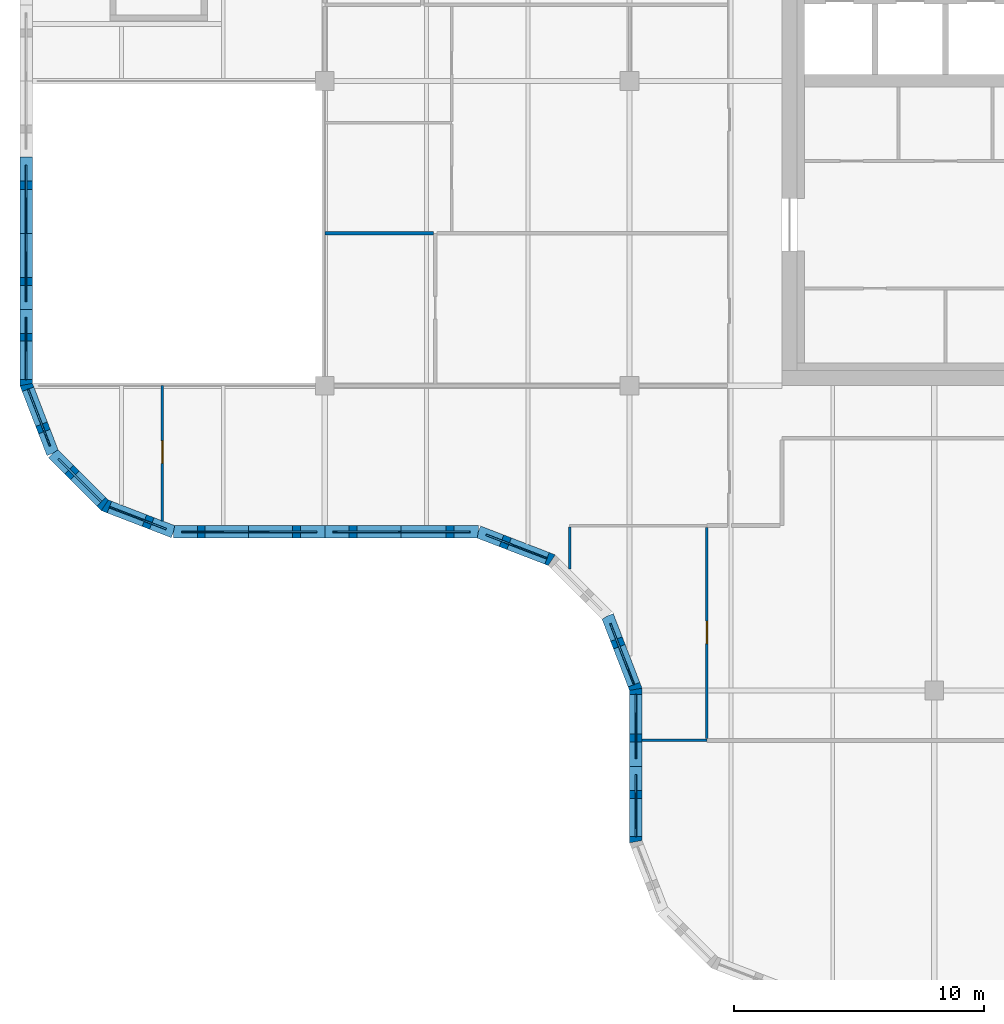
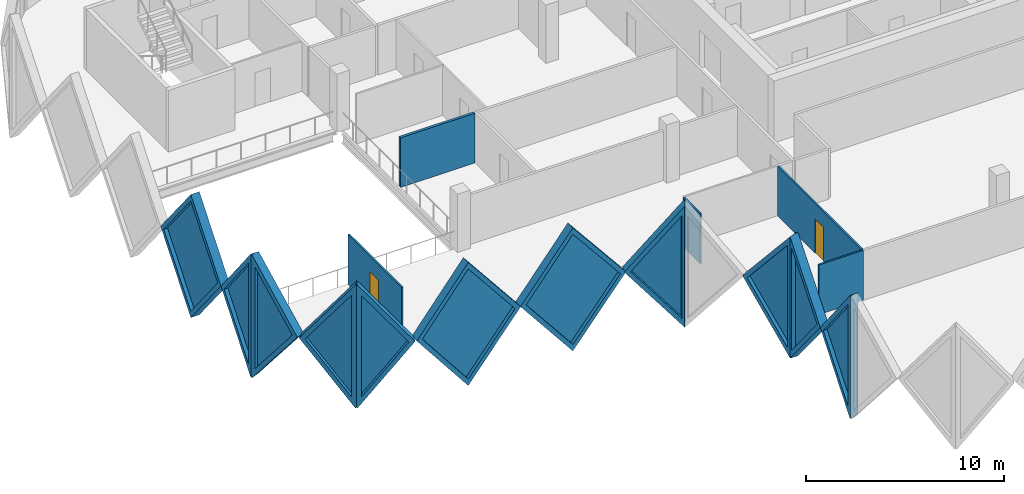
# One storey, part 3 of 11: 16 walls, 11 plates, 2 doors, 13 openings.
"""IFC4 building model written with IfcOpenShell, lengths in metres."""

from ifc_helpers import new_model, si_unit, direction, frame, frame_2d, origin, place, context, subcontext, project, spatial, polyline, rectangle, outline, extrude, faceted_brep, source, transform, mapped, material, layer, layer_set, type_object, element, fill, save


model = new_model("IFC4")

# Units and contexts
model_context = context("Model", 3, precision=1e-05, world=origin(), true_north=direction((0.0, 1.0)))
body_context = subcontext(model_context, "Body", "Model", "MODEL_VIEW")
ifc_project = project(units=[si_unit("LENGTHUNIT", "METRE"), si_unit("AREAUNIT", "SQUARE_METRE"), si_unit("VOLUMEUNIT", "CUBIC_METRE"), si_unit("PLANEANGLEUNIT", "RADIAN"), si_unit("MASSUNIT", "GRAM", prefix="KILO")], contexts=[model_context])

# Site, building, storey
site_placement = place(None, origin())
site = spatial("IfcSite", under=ifc_project, at=site_placement, CompositionType="ELEMENT")
building_placement = place(site_placement, origin())
building = spatial("IfcBuilding", under=site, at=building_placement, Name="Tessera Gate Towers", CompositionType="ELEMENT")
storey_placement = place(building_placement, frame((0.0, 0.0, 174.39990234375)))
storey = spatial("IfcBuildingStorey", under=building, at=storey_placement, Name="L43", CompositionType="ELEMENT", Elevation=174.39990234375)

# Wall
ifc_material_1 = material(Name="Glass", Category="glass")
ifc_layer_1 = layer(ifc_material_1, 0.10009765625)
ifc_layer_set_1 = layer_set([ifc_layer_1], Name="GLAZED PARTITION 100")
wall_type_1 = type_object("IfcWallType", Name="GLAZED PARTITION 100", PredefinedType="PARTITIONING", material=ifc_layer_set_1)
wall_1_placement = place(storey_placement, frame((24.89990234375, 10.199951171875, 0.0), z_axis=(0.0, 0.0, 1.0), x_axis=(1.0, 0.0, 0.0)))
element("IfcWall", 1, at=wall_1_placement, inside=storey, type_object=wall_type_1, Name="T1-L43-PW-006", PredefinedType="PARTITIONING", context=body_context, shape_type="SweptSolid", body=[
    extrude(rectangle(XDim=2.59912109375, YDim=0.10009765625, at=frame_2d((1.299560546875, 0.0))), origin(), (0.0, 0.0, 1.0), 3.067138671875),
])

# Wall, opening, door
wall_2_placement = place(storey_placement, frame((27.5, 10.27587890625, 0.0), z_axis=(0.0, 0.0, 1.0), x_axis=(0.0, 1.0, 0.0)))
wall_2 = element("IfcWall", 2, at=wall_2_placement, inside=storey, type_object=wall_type_1, Name="T1-L43-PW-008", PredefinedType="PARTITIONING", context=body_context, shape_type="SweptSolid", body=[
    extrude(rectangle(XDim=8.4482421875, YDim=0.10009765625, at=frame_2d((4.22412109375, 0.0))), origin(), (0.0, 0.0, 1.0), 3.067138671875),
])
shared_shape_1 = source(origin(), body_context, "Body", "SweptSolid", [
    extrude(rectangle(XDim=0.89990234375, YDim=2.10009765625, at=frame_2d((0.449951171875, 1.050048828125))), frame((0.0, 0.06005859375, 0.0), z_axis=(0.0, -1.0, 0.0), x_axis=(1.0, 0.0, 0.0)), (0.0, 0.0, 1.0), 0.1201171875),
])
opening_1_placement = place(wall_2_placement, frame((3.800048828125, 0.0, 0.0)))
opening_1 = element("IfcOpeningElement", 3, at=opening_1_placement, cuts=wall_2, Name="Opening D690-A15-02", PredefinedType="OPENING", context=body_context, shape_type="MappedRepresentation", body=[
    mapped(shared_shape_1, transform((0.0, 0.0, 0.0), scale=1.0)),
])
ifc_material_2 = material(Name="Glass in aluminium frame", Category="aluminium")
door_type = type_object("IfcDoorType", Name="GLAZED DOOR 900 NOT RATED", OperationType="NOTDEFINED", PredefinedType="DOOR", material=ifc_material_2)
shared_shape_2 = source(origin(), body_context, "Body", "SweptSolid", [
    extrude(rectangle(XDim=0.89990234375, YDim=2.10009765625, at=frame_2d((0.449951171875, 1.050048828125))), frame((0.0, 0.02490234375, 0.0), z_axis=(0.0, -1.0, 0.0), x_axis=(1.0, 0.0, 0.0)), (0.0, 0.0, 1.0), 0.050048828125),
])
door_1_placement = place(opening_1_placement, origin())
door_1 = element("IfcDoor", 4, at=door_1_placement, inside=storey, type_object=door_type, Name="T1-L43-PD-023", OperationType="SINGLE_SWING_LEFT", OverallHeight=2.10009765625, OverallWidth=0.89990234375, PredefinedType="DOOR", context=body_context, shape_type="MappedRepresentation", body=[
    mapped(shared_shape_2, transform((0.0, 0.0, 0.0), scale=1.0)),
])
fill(opening_1, door_1)

# Wall
wall_3_placement = place(storey_placement, frame((22.0, 17.054931640625, 0.0), z_axis=(0.0, 0.0, 1.0), x_axis=(0.0, 1.0, 0.0)))
element("IfcWall", 5, at=wall_3_placement, inside=storey, type_object=wall_type_1, Name="T1-L43-PW-012", PredefinedType="PARTITIONING", context=body_context, shape_type="SweptSolid", body=[
    extrude(rectangle(XDim=1.694091796875, YDim=0.10009765625, at=frame_2d((0.84716796875, 0.0))), origin(), (0.0, 0.0, 1.0), 3.067138671875),
])

# Wall, opening, door
wall_4_placement = place(storey_placement, frame((5.699951171875, 18.990234375, 0.0), z_axis=(0.0, 0.0, 1.0), x_axis=(0.0, 1.0, 0.0)))
wall_4 = element("IfcWall", 6, at=wall_4_placement, inside=storey, type_object=wall_type_1, Name="T1-L43-PW-020", PredefinedType="PARTITIONING", context=body_context, shape_type="SweptSolid", body=[
    extrude(rectangle(XDim=5.40966796875, YDim=0.10009765625, at=frame_2d((2.704833984375, 0.0))), origin(), (0.0, 0.0, 1.0), 3.067138671875),
])
opening_2_placement = place(wall_4_placement, frame((2.300048828125, 0.0, 0.0)))
opening_2 = element("IfcOpeningElement", 7, at=opening_2_placement, cuts=wall_4, Name="Opening D690-A15-01", PredefinedType="OPENING", context=body_context, shape_type="MappedRepresentation", body=[
    mapped(shared_shape_1, transform((0.0, 0.0, 0.0), scale=1.0)),
])
door_2_placement = place(opening_2_placement, origin())
door_2 = element("IfcDoor", 8, at=door_2_placement, inside=storey, type_object=door_type, Name="T1-L43-PD-012", OperationType="SINGLE_SWING_LEFT", OverallHeight=2.10009765625, OverallWidth=0.89990234375, PredefinedType="DOOR", context=body_context, shape_type="MappedRepresentation", body=[
    mapped(shared_shape_2, transform((0.0, 0.0, 0.0), scale=1.0)),
])
fill(opening_2, door_2)

# Wall
ifc_material_3 = material(Name="Gypsum board on steel studs, mineral wool", Category="steel")
ifc_layer_2 = layer(ifc_material_3, 0.14990234375)
ifc_layer_set_2 = layer_set([ifc_layer_2], Name="TENANCY WALL 150")
wall_type_2 = type_object("IfcWallType", Name="TENANCY WALL 150", PredefinedType="PARTITIONING", material=ifc_layer_set_2)
wall_5_placement = place(storey_placement, frame((12.199951171875, 30.5, 0.0), z_axis=(0.0, 0.0, 1.0), x_axis=(1.0, 0.0, 0.0)))
element("IfcWall", 9, at=wall_5_placement, inside=storey, type_object=wall_type_2, Name="T1-L43-PW-028", PredefinedType="PARTITIONING", context=body_context, shape_type="SweptSolid", body=[
    extrude(rectangle(XDim=4.34912109375, YDim=0.14990234375, at=frame_2d((2.174560546875, 0.0))), origin(), (0.0, 0.0, 1.0), 3.067138671875),
])

# Wall, opening, plate
ifc_material_4 = material(Name="Precast concrete C60/75 white", Category="concrete")
ifc_layer_3 = layer(ifc_material_4, 0.5)
ifc_layer_set_3 = layer_set([ifc_layer_3], Name="TS1 tessera")
wall_type_3 = type_object("IfcWallType", Name="TS1 tessera", PredefinedType="SOLIDWALL", material=ifc_layer_set_3)
shared_shape_3 = source(origin(), body_context, "Body", "SweptSolid", [
    extrude(outline(polyline([(3.050048828125, 0.0), (6.10009765625, 3.7998046875), (3.050048828125, 7.599853515625), (0.0, 3.7998046875), (3.050048828125, 0.0)])), frame((0.0, 0.25, 0.0), z_axis=(0.0, -1.0, 0.0), x_axis=(1.0, 0.0, 0.0)), (0.0, 0.0, 1.0), 0.5),
])
wall_6_placement = place(storey_placement, frame((0.25, 33.550048828125, -3.7998046875), z_axis=(0.0, 0.0, 1.0), x_axis=(0.0, -1.0, 0.0)))
wall_6 = element("IfcWall", 10, at=wall_6_placement, inside=storey, type_object=wall_type_3, Name="Precast tessera T1 TS1-0756", PredefinedType="SOLIDWALL", context=body_context, shape_type="MappedRepresentation", body=[
    mapped(shared_shape_3, transform((0.0, 0.0, 0.0), scale=1.0)),
])
shared_shape_4 = source(origin(), body_context, "Body", "SweptSolid", [
    extrude(outline(polyline([(3.050048828125, 0.3994140625), (5.779541015625, 3.7998046875), (3.050048828125, 7.200439453125), (0.320556640625, 3.7998046875), (3.050048828125, 0.3994140625)])), frame((0.0, 0.260009765625, 0.0), z_axis=(0.0, -1.0, 0.0), x_axis=(1.0, 0.0, 0.0)), (0.0, 0.0, 1.0), 0.52001953125),
])
opening_3_placement = place(wall_6_placement, origin())
opening_3 = element("IfcOpeningElement", 11, at=opening_3_placement, cuts=wall_6, Name="Opening T1-PL2-1536", PredefinedType="OPENING", context=body_context, shape_type="MappedRepresentation", body=[
    mapped(shared_shape_4, transform((0.0, 0.0, 0.0), scale=1.0)),
])
ifc_material_5 = material(Name="Low-e laminated glass", Category="glass")
ifc_layer_4 = layer(ifc_material_5, 0.06005859375)
ifc_layer_set_4 = layer_set([ifc_layer_4], Name="PL2 rhombic pane")
plate_type = type_object("IfcPlateType", Name="PL2 rhombic pane", PredefinedType="SHEET", material=ifc_layer_set_4)
shared_shape_5 = source(origin(), body_context, "Body", "SweptSolid", [
    extrude(outline(polyline([(3.050048828125, 0.3994140625), (5.779541015625, 3.7998046875), (3.050048828125, 7.200439453125), (0.320556640625, 3.7998046875), (3.050048828125, 0.3994140625)])), frame((0.0, 0.030029296875, 0.0), z_axis=(0.0, -1.0, 0.0), x_axis=(1.0, 0.0, 0.0)), (0.0, 0.0, 1.0), 0.06005859375),
])
plate_1_placement = place(opening_3_placement, origin())
plate_1 = element("IfcPlate", 12, at=plate_1_placement, inside=storey, type_object=plate_type, Name="Glass pane T1 PL2-1536", PredefinedType="SHEET", context=body_context, shape_type="MappedRepresentation", body=[
    mapped(shared_shape_5, transform((0.0, 0.0, 0.0), scale=1.0)),
])
fill(opening_3, plate_1)

ifc_material_6 = material(Name="Precast concrete C60/75 white", Category="concrete")
ifc_layer_5 = layer(ifc_material_6, 0.5)
ifc_layer_set_5 = layer_set([ifc_layer_5], Name="TS3 corner tessera")
wall_type_4 = type_object("IfcWallType", Name="TS3 corner tessera", PredefinedType="SOLIDWALL", material=ifc_layer_set_5)
shared_shape_6 = source(origin(), body_context, "Body", "Brep", [
    faceted_brep([(3.00341796875, -0.25, 0.0), (3.050048828125, -0.25, 0.06005859375), (3.050048828125, -0.25, 7.539794921875), (3.00341796875, -0.25, 7.599853515625), (0.0, -0.25, 3.7998046875), (0.0, 0.25, 3.7998046875), (2.956787109375, 0.25, 7.541015625), (2.956787109375, 0.25, 0.058837890625), (3.00341796875, 0.000244140625, 0.0), (3.00341796875, 0.000244140625, 7.599853515625)], [[[0, 1, 2, 3, 4]], [[5, 6, 7]], [[1, 0, 8]], [[9, 3, 2]], [[6, 5, 4, 3, 9]], [[5, 7, 8, 0, 4]], [[1, 8, 7, 6, 9, 2]]]),
])
wall_7_placement = place(storey_placement, frame((0.25, 27.449951171875, -3.7998046875), z_axis=(0.0, 0.0, 1.0), x_axis=(0.0, -1.0, 0.0)))
wall_7 = element("IfcWall", 13, at=wall_7_placement, inside=storey, type_object=wall_type_4, Name="Precast corner tessera T1 TS3-0997", PredefinedType="SOLIDWALL", context=body_context, shape_type="MappedRepresentation", body=[
    mapped(shared_shape_6, transform((0.0, 0.0, 0.0), scale=1.0)),
])
shared_shape_7 = source(origin(), body_context, "Body", "SweptSolid", [
    extrude(outline(polyline([(2.803466796875, 6.943603515625), (0.318603515625, 3.7998046875), (2.803466796875, 0.656005859375), (2.803466796875, 6.943603515625)])), frame((0.0, 0.260009765625, 0.0), z_axis=(0.0, -1.0, 0.0), x_axis=(1.0, 0.0, 0.0)), (0.0, 0.0, 1.0), 0.52001953125),
])
opening_4_placement = place(wall_7_placement, origin())
opening_4 = element("IfcOpeningElement", 14, at=opening_4_placement, cuts=wall_7, Name="Opening T1-PL2-1537", PredefinedType="OPENING", context=body_context, shape_type="MappedRepresentation", body=[
    mapped(shared_shape_7, transform((0.0, 0.0, 0.0), scale=1.0)),
])
shared_shape_8 = source(origin(), body_context, "Body", "SweptSolid", [
    extrude(outline(polyline([(2.803466796875, 6.943603515625), (0.318603515625, 3.7998046875), (2.803466796875, 0.656005859375), (2.803466796875, 6.943603515625)])), frame((0.0, 0.030029296875, 0.0), z_axis=(0.0, -1.0, 0.0), x_axis=(1.0, 0.0, 0.0)), (0.0, 0.0, 1.0), 0.06005859375),
])
plate_2_placement = place(opening_4_placement, origin())
plate_2 = element("IfcPlate", 15, at=plate_2_placement, inside=storey, type_object=plate_type, Name="Glass pane T1 PL2-1537", PredefinedType="SHEET", context=body_context, shape_type="MappedRepresentation", body=[
    mapped(shared_shape_8, transform((0.0, 0.0, 0.0), scale=1.0)),
])
fill(opening_4, plate_2)

wall_8_placement = place(storey_placement, frame((24.64990234375, 9.14990234375, -3.7998046875), z_axis=(0.0, 0.0, 1.0), x_axis=(0.0, -1.0, 0.0)))
wall_8 = element("IfcWall", 16, at=wall_8_placement, inside=storey, type_object=wall_type_4, Name="Precast corner tessera T1 TS3-1005", PredefinedType="SOLIDWALL", context=body_context, shape_type="MappedRepresentation", body=[
    mapped(shared_shape_6, transform((0.0, 0.0, 0.0), scale=1.0)),
])
opening_5_placement = place(wall_8_placement, origin())
opening_5 = element("IfcOpeningElement", 17, at=opening_5_placement, cuts=wall_8, Name="Opening T1-PL2-1547", PredefinedType="OPENING", context=body_context, shape_type="MappedRepresentation", body=[
    mapped(shared_shape_7, transform((0.0, 0.0, 0.0), scale=1.0)),
])
plate_3_placement = place(opening_5_placement, origin())
plate_3 = element("IfcPlate", 18, at=plate_3_placement, inside=storey, type_object=plate_type, Name="Glass pane T1 PL2-1547", PredefinedType="SHEET", context=body_context, shape_type="MappedRepresentation", body=[
    mapped(shared_shape_8, transform((0.0, 0.0, 0.0), scale=1.0)),
])
fill(opening_5, plate_3)

shared_shape_9 = source(origin(), body_context, "Body", "Brep", [
    faceted_brep([(0.046630859375, -0.25, 0.0), (2.9970703125, -0.25, 3.7998046875), (0.046630859375, -0.25, 7.599853515625), (0.0, -0.25, 7.541015625), (0.0, -0.25, 0.058837890625), (0.09326171875, 0.25, 7.539794921875), (2.9443359375, 0.25, 3.867919921875), (2.9443359375, 0.25, 3.731689453125), (0.09326171875, 0.25, 0.06005859375), (2.9970703125, 0.00048828125, 3.7998046875), (0.046630859375, 0.0, 0.0), (0.046630859375, 0.0, 7.599853515625)], [[[0, 1, 2, 3, 4]], [[5, 6, 7, 8]], [[8, 7, 9, 1, 0, 10]], [[6, 5, 11, 2, 1, 9]], [[3, 2, 11]], [[10, 0, 4]], [[8, 10, 4, 3, 11, 5]], [[9, 7, 6]]]),
])
wall_9_placement = place(storey_placement, frame((0.233154296875, 24.489990234375, -3.7998046875), z_axis=(0.0, 0.0, 1.0), x_axis=(0.359901446078, -0.932990326376, 0.0)))
wall_9 = element("IfcWall", 19, at=wall_9_placement, inside=storey, type_object=wall_type_4, Name="Precast corner tessera T1 TS3-0998", PredefinedType="SOLIDWALL", context=body_context, shape_type="MappedRepresentation", body=[
    mapped(shared_shape_9, transform((0.0, 0.0, 0.0), scale=1.0)),
])
shared_shape_10 = source(origin(), body_context, "Body", "SweptSolid", [
    extrude(outline(polyline([(0.24658203125, 0.6650390625), (2.6806640625, 3.7998046875), (0.24658203125, 6.9345703125), (0.24658203125, 0.6650390625)])), frame((0.0, 0.260009765625, 0.0), z_axis=(0.0, -1.0, 0.0), x_axis=(1.0, 0.0, 0.0)), (0.0, 0.0, 1.0), 0.52001953125),
])
opening_6_placement = place(wall_9_placement, origin())
opening_6 = element("IfcOpeningElement", 20, at=opening_6_placement, cuts=wall_9, Name="Opening T1-PL2-1538", PredefinedType="OPENING", context=body_context, shape_type="MappedRepresentation", body=[
    mapped(shared_shape_10, transform((0.0, 0.0, 0.0), scale=1.0)),
])
shared_shape_11 = source(origin(), body_context, "Body", "SweptSolid", [
    extrude(outline(polyline([(0.24658203125, 0.6650390625), (2.6806640625, 3.7998046875), (0.24658203125, 6.9345703125), (0.24658203125, 0.6650390625)])), frame((0.0, 0.030029296875, 0.0), z_axis=(0.0, -1.0, 0.0), x_axis=(1.0, 0.0, 0.0)), (0.0, 0.0, 1.0), 0.06005859375),
])
plate_4_placement = place(opening_6_placement, origin())
plate_4 = element("IfcPlate", 21, at=plate_4_placement, inside=storey, type_object=plate_type, Name="Glass pane T1 PL2-1538", PredefinedType="SHEET", context=body_context, shape_type="MappedRepresentation", body=[
    mapped(shared_shape_11, transform((0.0, 0.0, 0.0), scale=1.0)),
])
fill(opening_6, plate_4)

shared_shape_12 = source(origin(), body_context, "Body", "Brep", [
    faceted_brep([(2.944091796875, -0.25, 0.0), (2.9970703125, -0.25, 0.068115234375), (2.9970703125, -0.25, 7.53173828125), (2.944091796875, -0.25, 7.599853515625), (0.0, -0.25, 3.7998046875), (0.052978515625, 0.25, 3.8681640625), (2.89111328125, 0.25, 7.53173828125), (2.89111328125, 0.25, 0.068115234375), (0.052978515625, 0.25, 3.7314453125), (2.944091796875, 0.000244140625, 0.0), (2.944091796875, 0.000244140625, 7.599853515625), (0.0, 0.0, 3.7998046875)], [[[0, 1, 2, 3, 4]], [[5, 6, 7, 8]], [[1, 0, 9]], [[10, 3, 2]], [[6, 5, 11, 4, 3, 10]], [[8, 7, 9, 0, 4, 11]], [[8, 11, 5]], [[1, 9, 7, 6, 10, 2]]]),
])
wall_10_placement = place(storey_placement, frame((1.31201171875, 21.69384765625, -3.7998046875), z_axis=(0.0, 0.0, 1.0), x_axis=(0.707066050402, -0.707147509625, 0.0)))
wall_10 = element("IfcWall", 22, at=wall_10_placement, inside=storey, type_object=wall_type_4, Name="Precast corner tessera T1 TS3-0999", PredefinedType="SOLIDWALL", context=body_context, shape_type="MappedRepresentation", body=[
    mapped(shared_shape_12, transform((0.0, 0.0, 0.0), scale=1.0)),
])
shared_shape_13 = source(origin(), body_context, "Body", "SweptSolid", [
    extrude(outline(polyline([(2.744140625, 6.93359375), (0.316162109375, 3.7998046875), (2.744140625, 0.666259765625), (2.744140625, 6.93359375)])), frame((0.0, 0.260009765625, 0.0), z_axis=(0.0, -1.0, 0.0), x_axis=(1.0, 0.0, 0.0)), (0.0, 0.0, 1.0), 0.52001953125),
])
opening_7_placement = place(wall_10_placement, origin())
opening_7 = element("IfcOpeningElement", 23, at=opening_7_placement, cuts=wall_10, Name="Opening T1-PL2-1539", PredefinedType="OPENING", context=body_context, shape_type="MappedRepresentation", body=[
    mapped(shared_shape_13, transform((0.0, 0.0, 0.0), scale=1.0)),
])
shared_shape_14 = source(origin(), body_context, "Body", "SweptSolid", [
    extrude(outline(polyline([(2.744140625, 6.93359375), (0.316162109375, 3.7998046875), (2.744140625, 0.666259765625), (2.744140625, 6.93359375)])), frame((0.0, 0.030029296875, 0.0), z_axis=(0.0, -1.0, 0.0), x_axis=(1.0, 0.0, 0.0)), (0.0, 0.0, 1.0), 0.06005859375),
])
plate_5_placement = place(opening_7_placement, origin())
plate_5 = element("IfcPlate", 24, at=plate_5_placement, inside=storey, type_object=plate_type, Name="Glass pane T1 PL2-1539", PredefinedType="SHEET", context=body_context, shape_type="MappedRepresentation", body=[
    mapped(shared_shape_14, transform((0.0, 0.0, 0.0), scale=1.0)),
])
fill(opening_7, plate_5)

shared_shape_15 = source(origin(), body_context, "Body", "Brep", [
    faceted_brep([(3.00341796875, -0.25, 0.0), (6.053466796875, -0.25, 3.7998046875), (3.00341796875, -0.25, 7.599853515625), (0.0, -0.25, 3.7998046875), (0.046630859375, 0.25, 3.858642578125), (3.00341796875, 0.25, 7.599853515625), (6.053466796875, 0.25, 3.7998046875), (3.00341796875, 0.25, 0.0), (0.046630859375, 0.25, 3.740966796875), (0.0, 0.0, 3.7998046875)], [[[0, 1, 2, 3]], [[4, 5, 6, 7, 8]], [[7, 6, 1, 0]], [[6, 5, 2, 1]], [[5, 4, 9, 3, 2]], [[8, 7, 0, 3, 9]], [[8, 9, 4]]]),
])
wall_11_placement = place(storey_placement, frame((6.146484375, 18.550048828125, -3.7998046875), z_axis=(0.0, 0.0, 1.0), x_axis=(1.0, 0.0, 0.0)))
wall_11 = element("IfcWall", 25, at=wall_11_placement, inside=storey, type_object=wall_type_3, Name="Precast tessera T1 TS1-0757", PredefinedType="SOLIDWALL", context=body_context, shape_type="MappedRepresentation", body=[
    mapped(shared_shape_15, transform((0.0, 0.0, 0.0), scale=1.0)),
])
shared_shape_16 = source(origin(), body_context, "Body", "SweptSolid", [
    extrude(outline(polyline([(3.0048828125, 0.401123046875), (5.73291015625, 3.7998046875), (3.0048828125, 7.19873046875), (0.318603515625, 3.7998046875), (3.0048828125, 0.401123046875)])), frame((0.0, 0.260009765625, 0.0), z_axis=(0.0, -1.0, 0.0), x_axis=(1.0, 0.0, 0.0)), (0.0, 0.0, 1.0), 0.52001953125),
])
opening_8_placement = place(wall_11_placement, origin())
opening_8 = element("IfcOpeningElement", 26, at=opening_8_placement, cuts=wall_11, Name="Opening T1-PL2-1541", PredefinedType="OPENING", context=body_context, shape_type="MappedRepresentation", body=[
    mapped(shared_shape_16, transform((0.0, 0.0, 0.0), scale=1.0)),
])
shared_shape_17 = source(origin(), body_context, "Body", "SweptSolid", [
    extrude(outline(polyline([(3.0048828125, 0.401123046875), (5.73291015625, 3.7998046875), (3.0048828125, 7.19873046875), (0.318603515625, 3.7998046875), (3.0048828125, 0.401123046875)])), frame((0.0, 0.030029296875, 0.0), z_axis=(0.0, -1.0, 0.0), x_axis=(1.0, 0.0, 0.0)), (0.0, 0.0, 1.0), 0.06005859375),
])
plate_6_placement = place(opening_8_placement, origin())
plate_6 = element("IfcPlate", 27, at=plate_6_placement, inside=storey, type_object=plate_type, Name="Glass pane T1 PL2-1541", PredefinedType="SHEET", context=body_context, shape_type="MappedRepresentation", body=[
    mapped(shared_shape_17, transform((0.0, 0.0, 0.0), scale=1.0)),
])
fill(opening_8, plate_6)

shared_shape_18 = source(origin(), body_context, "Body", "Brep", [
    faceted_brep([(0.052978515625, -0.25, 0.0), (3.00341796875, -0.25, 3.7998046875), (0.052978515625, -0.25, 7.599853515625), (0.0, -0.25, 7.531494140625), (0.0, -0.25, 0.068359375), (0.10595703125, 0.25, 7.53173828125), (2.95703125, 0.25, 3.859619140625), (2.95703125, 0.25, 3.739990234375), (0.10595703125, 0.25, 0.068115234375), (3.00341796875, 0.00048828125, 3.7998046875), (0.052978515625, 0.0, 0.0), (0.052978515625, 0.0, 7.599853515625)], [[[0, 1, 2, 3, 4]], [[5, 6, 7, 8]], [[8, 7, 9, 1, 0, 10]], [[6, 5, 11, 2, 1, 9]], [[3, 2, 11]], [[10, 0, 4]], [[8, 10, 4, 3, 11, 5]], [[9, 7, 6]]]),
])
wall_12_placement = place(storey_placement, frame((3.34423828125, 19.630859375, -3.7998046875), z_axis=(0.0, 0.0, 1.0), x_axis=(0.933007896601, -0.359855894603, 0.0)))
wall_12 = element("IfcWall", 28, at=wall_12_placement, inside=storey, type_object=wall_type_4, Name="Precast corner tessera T1 TS3-1000", PredefinedType="SOLIDWALL", context=body_context, shape_type="MappedRepresentation", body=[
    mapped(shared_shape_18, transform((0.0, 0.0, 0.0), scale=1.0)),
])
shared_shape_19 = source(origin(), body_context, "Body", "SweptSolid", [
    extrude(outline(polyline([(0.2529296875, 0.6650390625), (2.68701171875, 3.7998046875), (0.2529296875, 6.9345703125), (0.2529296875, 0.6650390625)])), frame((0.0, 0.260009765625, 0.0), z_axis=(0.0, -1.0, 0.0), x_axis=(1.0, 0.0, 0.0)), (0.0, 0.0, 1.0), 0.52001953125),
])
opening_9_placement = place(wall_12_placement, origin())
opening_9 = element("IfcOpeningElement", 29, at=opening_9_placement, cuts=wall_12, Name="Opening T1-PL2-1540", PredefinedType="OPENING", context=body_context, shape_type="MappedRepresentation", body=[
    mapped(shared_shape_19, transform((0.0, 0.0, 0.0), scale=1.0)),
])
shared_shape_20 = source(origin(), body_context, "Body", "SweptSolid", [
    extrude(outline(polyline([(0.2529296875, 0.6650390625), (2.68701171875, 3.7998046875), (0.2529296875, 6.9345703125), (0.2529296875, 0.6650390625)])), frame((0.0, 0.030029296875, 0.0), z_axis=(0.0, -1.0, 0.0), x_axis=(1.0, 0.0, 0.0)), (0.0, 0.0, 1.0), 0.06005859375),
])
plate_7_placement = place(opening_9_placement, origin())
plate_7 = element("IfcPlate", 30, at=plate_7_placement, inside=storey, type_object=plate_type, Name="Glass pane T1 PL2-1540", PredefinedType="SHEET", context=body_context, shape_type="MappedRepresentation", body=[
    mapped(shared_shape_20, transform((0.0, 0.0, 0.0), scale=1.0)),
])
fill(opening_9, plate_7)

shared_shape_21 = source(origin(), body_context, "Body", "Brep", [
    faceted_brep([(3.050048828125, -0.25, 0.0), (6.10009765625, -0.25, 3.74267578125), (6.10009765625, -0.25, 3.85693359375), (3.050048828125, -0.25, 7.599853515625), (0.0, -0.25, 3.7998046875), (0.0, 0.25, 3.7998046875), (3.050048828125, 0.25, 7.599853515625), (6.146484375, 0.25, 3.7998046875), (3.050048828125, 0.25, 0.0), (6.146484375, -0.000244140625, 3.7998046875)], [[[0, 1, 2, 3, 4]], [[5, 6, 7, 8]], [[8, 7, 9, 1, 0]], [[7, 6, 3, 2, 9]], [[6, 5, 4, 3]], [[5, 8, 0, 4]], [[1, 9, 2]]]),
])
wall_13_placement = place(storey_placement, frame((12.199951171875, 18.550048828125, -3.7998046875), z_axis=(0.0, 0.0, 1.0), x_axis=(1.0, 0.0, 0.0)))
wall_13 = element("IfcWall", 31, at=wall_13_placement, inside=storey, type_object=wall_type_3, Name="Precast tessera T1 TS1-0758", PredefinedType="SOLIDWALL", context=body_context, shape_type="MappedRepresentation", body=[
    mapped(shared_shape_21, transform((0.0, 0.0, 0.0), scale=1.0)),
])
shared_shape_22 = source(origin(), body_context, "Body", "SweptSolid", [
    extrude(outline(polyline([(3.051513671875, 0.3974609375), (5.823974609375, 3.7998046875), (3.051513671875, 7.202392578125), (0.320556640625, 3.7998046875), (3.051513671875, 0.3974609375)])), frame((0.0, 0.260009765625, 0.0), z_axis=(0.0, -1.0, 0.0), x_axis=(1.0, 0.0, 0.0)), (0.0, 0.0, 1.0), 0.52001953125),
])
opening_10_placement = place(wall_13_placement, origin())
opening_10 = element("IfcOpeningElement", 32, at=opening_10_placement, cuts=wall_13, Name="Opening T1-PL2-1542", PredefinedType="OPENING", context=body_context, shape_type="MappedRepresentation", body=[
    mapped(shared_shape_22, transform((0.0, 0.0, 0.0), scale=1.0)),
])
shared_shape_23 = source(origin(), body_context, "Body", "SweptSolid", [
    extrude(outline(polyline([(3.051513671875, 0.3974609375), (5.823974609375, 3.7998046875), (3.051513671875, 7.202392578125), (0.320556640625, 3.7998046875), (3.051513671875, 0.3974609375)])), frame((0.0, 0.030029296875, 0.0), z_axis=(0.0, -1.0, 0.0), x_axis=(1.0, 0.0, 0.0)), (0.0, 0.0, 1.0), 0.06005859375),
])
plate_8_placement = place(opening_10_placement, origin())
plate_8 = element("IfcPlate", 33, at=plate_8_placement, inside=storey, type_object=plate_type, Name="Glass pane T1 PL2-1542", PredefinedType="SHEET", context=body_context, shape_type="MappedRepresentation", body=[
    mapped(shared_shape_23, transform((0.0, 0.0, 0.0), scale=1.0)),
])
fill(opening_10, plate_8)

shared_shape_24 = source(origin(), body_context, "Body", "Brep", [
    faceted_brep([(3.096435546875, -0.25, 7.5361328125), (0.046630859375, -0.25, 3.85595703125), (0.046630859375, -0.25, 3.74365234375), (3.096435546875, -0.25, 0.063720703125), (0.0, 0.25, 3.7998046875), (3.1494140625, 0.25, 7.599853515625), (3.202392578125, 0.25, 7.5361328125), (3.202392578125, 0.25, 0.063720703125), (3.1494140625, 0.25, 0.0), (3.1494140625, -0.000244140625, 0.0), (3.1494140625, -0.000244140625, 7.599853515625), (0.0, 0.0, 3.7998046875)], [[[0, 1, 2, 3]], [[4, 5, 6, 7, 8]], [[8, 7, 9]], [[6, 5, 10]], [[5, 4, 11, 1, 0, 10]], [[4, 8, 9, 3, 2, 11]], [[11, 2, 1]], [[3, 9, 7, 6, 10, 0]]]),
])
wall_14_placement = place(storey_placement, frame((18.346435546875, 18.550048828125, -3.7998046875), z_axis=(0.0, 0.0, 1.0), x_axis=(0.932985567668, -0.359913782069, 0.0)))
wall_14 = element("IfcWall", 34, at=wall_14_placement, inside=storey, type_object=wall_type_4, Name="Precast corner tessera T1 TS3-1001", PredefinedType="SOLIDWALL", context=body_context, shape_type="MappedRepresentation", body=[
    mapped(shared_shape_24, transform((0.0, 0.0, 0.0), scale=1.0)),
])
shared_shape_25 = source(origin(), body_context, "Body", "SweptSolid", [
    extrude(outline(polyline([(2.949462890625, 6.966796875), (0.32470703125, 3.7998046875), (2.949462890625, 0.633056640625), (2.949462890625, 6.966796875)])), frame((0.0, 0.260009765625, 0.0), z_axis=(0.0, -1.0, 0.0), x_axis=(1.0, 0.0, 0.0)), (0.0, 0.0, 1.0), 0.52001953125),
])
opening_11_placement = place(wall_14_placement, origin())
opening_11 = element("IfcOpeningElement", 35, at=opening_11_placement, cuts=wall_14, Name="Opening T1-PL2-1543", PredefinedType="OPENING", context=body_context, shape_type="MappedRepresentation", body=[
    mapped(shared_shape_25, transform((0.0, 0.0, 0.0), scale=1.0)),
])
shared_shape_26 = source(origin(), body_context, "Body", "SweptSolid", [
    extrude(outline(polyline([(2.949462890625, 6.966796875), (0.32470703125, 3.7998046875), (2.949462890625, 0.633056640625), (2.949462890625, 6.966796875)])), frame((0.0, 0.030029296875, 0.0), z_axis=(0.0, -1.0, 0.0), x_axis=(1.0, 0.0, 0.0)), (0.0, 0.0, 1.0), 0.06005859375),
])
plate_9_placement = place(opening_11_placement, origin())
plate_9 = element("IfcPlate", 36, at=plate_9_placement, inside=storey, type_object=plate_type, Name="Glass pane T1 PL2-1543", PredefinedType="SHEET", context=body_context, shape_type="MappedRepresentation", body=[
    mapped(shared_shape_26, transform((0.0, 0.0, 0.0), scale=1.0)),
])
fill(opening_11, plate_9)

shared_shape_27 = source(origin(), body_context, "Body", "Brep", [
    faceted_brep([(3.10302734375, -0.25, 7.543701171875), (0.052978515625, -0.25, 3.86376953125), (0.052978515625, -0.25, 3.73583984375), (3.10302734375, -0.25, 0.05615234375), (0.0, 0.25, 3.7998046875), (3.1494140625, 0.25, 7.599853515625), (3.196044921875, 0.25, 7.542724609375), (3.196044921875, 0.25, 0.05712890625), (3.1494140625, 0.25, 0.0), (3.1494140625, -0.000244140625, 0.0), (3.1494140625, -0.000244140625, 7.599853515625), (0.0, 0.0, 3.7998046875)], [[[0, 1, 2, 3]], [[4, 5, 6, 7, 8]], [[8, 7, 9]], [[6, 5, 10]], [[5, 4, 11, 1, 0, 10]], [[4, 8, 9, 3, 2, 11]], [[11, 2, 1]], [[3, 9, 7, 6, 10, 0]]]),
])
wall_15_placement = place(storey_placement, frame((23.5166015625, 15.18505859375, -3.7998046875), z_axis=(0.0, 0.0, 1.0), x_axis=(0.359864468756, -0.933004589553, 0.0)))
wall_15 = element("IfcWall", 37, at=wall_15_placement, inside=storey, type_object=wall_type_4, Name="Precast corner tessera T1 TS3-1003", PredefinedType="SOLIDWALL", context=body_context, shape_type="MappedRepresentation", body=[
    mapped(shared_shape_27, transform((0.0, 0.0, 0.0), scale=1.0)),
])
opening_12_placement = place(wall_15_placement, origin())
opening_12 = element("IfcOpeningElement", 38, at=opening_12_placement, cuts=wall_15, Name="Opening T1-PL2-1545", PredefinedType="OPENING", context=body_context, shape_type="MappedRepresentation", body=[
    mapped(shared_shape_25, transform((0.0, 0.0, 0.0), scale=1.0)),
])
plate_10_placement = place(opening_12_placement, origin())
plate_10 = element("IfcPlate", 39, at=plate_10_placement, inside=storey, type_object=plate_type, Name="Glass pane T1 PL2-1545", PredefinedType="SHEET", context=body_context, shape_type="MappedRepresentation", body=[
    mapped(shared_shape_26, transform((0.0, 0.0, 0.0), scale=1.0)),
])
fill(opening_12, plate_10)

shared_shape_28 = source(origin(), body_context, "Body", "Brep", [
    faceted_brep([(0.09326171875, -0.25, 0.05712890625), (3.14306640625, -0.25, 3.7998046875), (0.09326171875, -0.25, 7.542724609375), (0.0, 0.25, 7.543701171875), (0.046630859375, 0.25, 7.599853515625), (3.14306640625, 0.25, 3.7998046875), (0.046630859375, 0.25, 0.0), (0.0, 0.25, 0.05615234375), (0.046630859375, 0.0, 0.0), (0.046630859375, 0.0, 7.599853515625)], [[[0, 1, 2]], [[3, 4, 5, 6, 7]], [[6, 5, 1, 0, 8]], [[5, 4, 9, 2, 1]], [[4, 3, 9]], [[7, 6, 8]], [[7, 8, 0, 2, 9, 3]]]),
])
wall_16_placement = place(storey_placement, frame((24.64990234375, 12.293212890625, -3.7998046875), z_axis=(0.0, 0.0, 1.0), x_axis=(0.0, -1.0, 0.0)))
wall_16 = element("IfcWall", 40, at=wall_16_placement, inside=storey, type_object=wall_type_4, Name="Precast corner tessera T1 TS3-1004", PredefinedType="SOLIDWALL", context=body_context, shape_type="MappedRepresentation", body=[
    mapped(shared_shape_28, transform((0.0, 0.0, 0.0), scale=1.0)),
])
shared_shape_29 = source(origin(), body_context, "Body", "SweptSolid", [
    extrude(outline(polyline([(0.24658203125, 0.64111328125), (2.82080078125, 3.7998046875), (0.24658203125, 6.958740234375), (0.24658203125, 0.64111328125)])), frame((0.0, 0.260009765625, 0.0), z_axis=(0.0, -1.0, 0.0), x_axis=(1.0, 0.0, 0.0)), (0.0, 0.0, 1.0), 0.52001953125),
])
opening_13_placement = place(wall_16_placement, origin())
opening_13 = element("IfcOpeningElement", 41, at=opening_13_placement, cuts=wall_16, Name="Opening T1-PL2-1546", PredefinedType="OPENING", context=body_context, shape_type="MappedRepresentation", body=[
    mapped(shared_shape_29, transform((0.0, 0.0, 0.0), scale=1.0)),
])
shared_shape_30 = source(origin(), body_context, "Body", "SweptSolid", [
    extrude(outline(polyline([(0.24658203125, 0.64111328125), (2.82080078125, 3.7998046875), (0.24658203125, 6.958740234375), (0.24658203125, 0.64111328125)])), frame((0.0, 0.030029296875, 0.0), z_axis=(0.0, -1.0, 0.0), x_axis=(1.0, 0.0, 0.0)), (0.0, 0.0, 1.0), 0.06005859375),
])
plate_11_placement = place(opening_13_placement, origin())
plate_11 = element("IfcPlate", 42, at=plate_11_placement, inside=storey, type_object=plate_type, Name="Glass pane T1 PL2-1546", PredefinedType="SHEET", context=body_context, shape_type="MappedRepresentation", body=[
    mapped(shared_shape_30, transform((0.0, 0.0, 0.0), scale=1.0)),
])
fill(opening_13, plate_11)

save(model, "model.ifc")
